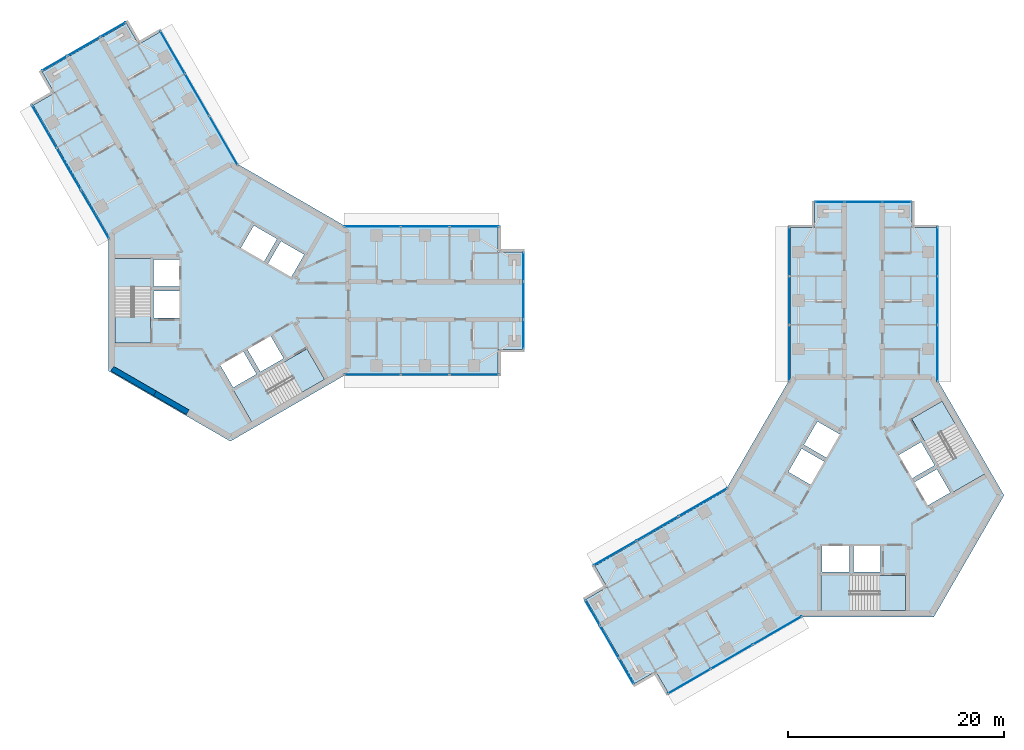
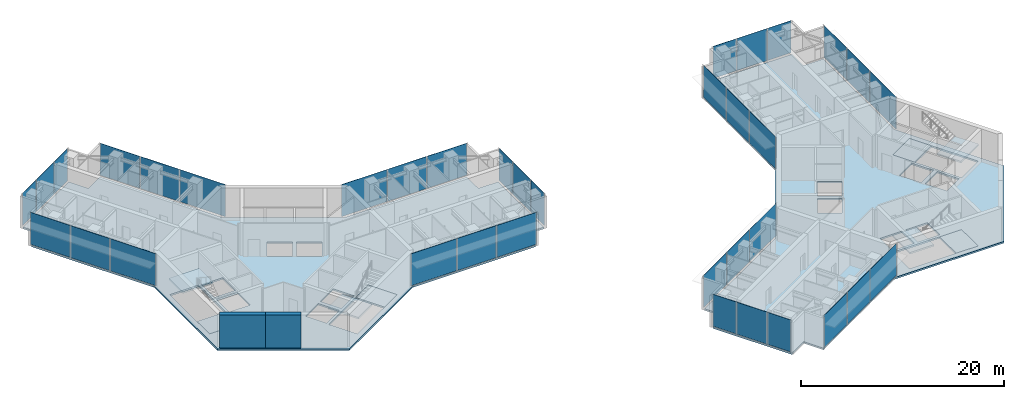
# One storey, part 10 of 18: 36 plates, 10 slabs, 2 walls, 16 elements without a shape of their own.
"""IFC4 building model written with IfcOpenShell, lengths in metres."""

import ifcopenshell
import ifcopenshell.guid

model = None  # the IFC model being written
_history = None  # IfcOwnerHistory: only IFC2X3 demands one
_inside = {}  # id of a spatial element -> (the spatial element, [elements in it])
_under = {}  # id of a project, library or spatial element -> (it, [spatial elements below it])
_declared = {}  # id of a project -> (the project, [libraries it declares])
_typed = {}  # id of a type object -> (the type object, [elements of that type])
_made_of = {}  # id of a material, layer set ... -> (it, [elements and type objects made of it])


def new_model(schema):
    """Start an empty IFC model of exactly this schema.

    Asked for "IFC4X3", IfcOpenShell would pick the latest addendum, in which some entities
    have other attributes; the version numbers below select the first issue.
    IFC2X3 requires an IfcOwnerHistory on every rooted entity: one is made here for all.
    """
    global model, _history
    if schema == "IFC4X3":
        model = ifcopenshell.file(schema_version=(4, 3, 0, 0))
    else:
        model = ifcopenshell.file(schema=schema)
    _inside.clear()
    _under.clear()
    _declared.clear()
    _typed.clear()
    _made_of.clear()
    _history = None
    if model.schema == "IFC2X3":
        org = make("IfcOrganization", Name="unknown")
        user = make(
            "IfcPersonAndOrganization",
            ThePerson=make("IfcPerson", FamilyName="unknown"),
            TheOrganization=org,
        )
        app = make(
            "IfcApplication",
            ApplicationDeveloper=org,
            Version="unknown",
            ApplicationFullName="unknown",
            ApplicationIdentifier="unknown",
        )
        _history = make(
            "IfcOwnerHistory",
            OwningUser=user,
            OwningApplication=app,
            ChangeAction="ADDED",
            CreationDate=0,
        )
    return model


def make(cls, **values):
    """One entity of the class cls with the attributes given. An attribute that is None is left unset."""
    return model.create_entity(
        cls, **{name: value for name, value in values.items() if value is not None}
    )


def rooted(cls, **values):
    """An entity with a GlobalId (a new one), such as an element, a storey or a relation."""
    return make(cls, GlobalId=ifcopenshell.guid.new(), OwnerHistory=_history, **values)


def si_unit(unit_type, name, prefix=None):
    """IfcSIUnit, for example si_unit("LENGTHUNIT", "METRE", prefix="MILLI")."""
    return make("IfcSIUnit", UnitType=unit_type, Prefix=prefix, Name=name)


def assignment(units):
    """IfcUnitAssignment: the units of a project."""
    return None if units is None else make("IfcUnitAssignment", Units=units)


def point(xyz):
    """IfcCartesianPoint."""
    return None if xyz is None else make("IfcCartesianPoint", Coordinates=xyz)


def direction(xyz):
    """IfcDirection."""
    return None if xyz is None else make("IfcDirection", DirectionRatios=xyz)


def frame(location, z_axis=None, x_axis=None):
    """IfcAxis2Placement3D, a coordinate frame: its origin and axes. An axis left out is left unset."""
    return make(
        "IfcAxis2Placement3D",
        Location=point(location),
        Axis=direction(z_axis),
        RefDirection=direction(x_axis),
    )


def frame_2d(location, x_axis=None):
    """IfcAxis2Placement2D, a coordinate frame in the plane: its origin and x axis."""
    return make(
        "IfcAxis2Placement2D", Location=point(location), RefDirection=direction(x_axis)
    )


def origin():
    """The frame at (0, 0, 0) with its axes left unset."""
    return frame((0.0, 0.0, 0.0))


def origin_2d():
    """The frame at (0, 0) in the plane with its x axis left unset."""
    return frame_2d((0.0, 0.0))


def place(relative_to, where):
    """IfcLocalPlacement: puts the frame where relative to a parent placement (None: the world)."""
    return make(
        "IfcLocalPlacement", PlacementRelTo=relative_to, RelativePlacement=where
    )


def context(
    kind, dimensions, precision=None, world=None, true_north=None, identifier=None
):
    """IfcGeometricRepresentationContext, for example the 3D "Model" context."""
    return make(
        "IfcGeometricRepresentationContext",
        ContextIdentifier=identifier,
        ContextType=kind,
        CoordinateSpaceDimension=dimensions,
        Precision=precision,
        WorldCoordinateSystem=world,
        TrueNorth=true_north,
    )


def subcontext(parent, identifier, kind, view, scale=None):
    """IfcGeometricRepresentationSubContext, for example "Body" below "Model"."""
    return make(
        "IfcGeometricRepresentationSubContext",
        ContextIdentifier=identifier,
        ContextType=kind,
        ParentContext=parent,
        TargetScale=scale,
        TargetView=view,
    )


def project(units=None, contexts=None):
    """IfcProject with its units and contexts."""
    return rooted(
        "IfcProject",
        Name="project",
        RepresentationContexts=contexts,
        UnitsInContext=assignment(units),
    )


def spatial(cls, under=None, at=None, **own):
    """A site, building, storey or space (cls), placed at a placement, below another one or the project."""
    s = rooted(cls, ObjectPlacement=at, **own)
    if under is not None:
        _under.setdefault(under.id(), (under, []))[1].append(s)
    return s


def polyline(points):
    """IfcPolyline through the points."""
    return make("IfcPolyline", Points=[point(p) for p in points])


def profile(cls, at=None, kind="AREA", **sizes):
    """A parametric profile (cls). Its sizes go by their IFC names, for example OverallWidth=200.0."""
    return make(cls, ProfileType=kind, Position=at, **sizes)


def rectangle(**sizes):
    """IfcRectangleProfileDef."""
    return profile("IfcRectangleProfileDef", **sizes)


def outline(outer, holes=None, kind="AREA"):
    """IfcArbitraryClosedProfileDef: a profile drawn as a closed curve; with holes, ...WithVoids."""
    if holes is None:
        return make("IfcArbitraryClosedProfileDef", ProfileType=kind, OuterCurve=outer)
    return make(
        "IfcArbitraryProfileDefWithVoids",
        ProfileType=kind,
        OuterCurve=outer,
        InnerCurves=holes,
    )


def extrude(swept, where, along, depth):
    """IfcExtrudedAreaSolid: the profile swept, set in the frame where, extruded along a direction by depth."""
    return make(
        "IfcExtrudedAreaSolid",
        SweptArea=swept,
        Position=where,
        ExtrudedDirection=direction(along),
        Depth=depth,
    )


def shape(context_of_items, identifier, shape_type, items):
    """IfcShapeRepresentation: the items that make up one representation, for example the "Body"."""
    return make(
        "IfcShapeRepresentation",
        ContextOfItems=context_of_items,
        RepresentationIdentifier=identifier,
        RepresentationType=shape_type,
        Items=items,
    )


def material(Name=None, Category=None):
    """IfcMaterial."""
    return make("IfcMaterial", Name=Name, Category=Category)


def layer(
    of_material, thickness, ventilated=None, Name=None, Category=None, Priority=None
):
    """IfcMaterialLayer: one layer of a wall or slab, of a material (None: an air gap)."""
    return make(
        "IfcMaterialLayer",
        Material=of_material,
        LayerThickness=thickness,
        IsVentilated=ventilated,
        Name=Name,
        Category=Category,
        Priority=Priority,
    )


def layer_set(layers, Name=None):
    """IfcMaterialLayerSet."""
    return make("IfcMaterialLayerSet", MaterialLayers=layers, LayerSetName=Name)


def made_of(thing, what):
    """Note that an element or type object is made of a material, layer set ...; save() writes the relation."""
    if what is not None:
        _made_of.setdefault(what.id(), (what, []))[1].append(thing)
    return thing


def type_object(cls, material=None, **own):
    """A type object (cls), such as IfcWallType, which elements share."""
    return made_of(rooted(cls, **own), material)


def element(
    cls,
    number,
    at=None,
    inside=None,
    cuts=None,
    type_object=None,
    material=None,
    context=None,
    identifier="Body",
    shape_type=None,
    held_by="IfcProductDefinitionShape",
    body=None,
    shapes=None,
    **own,
):
    """One element of the class cls, such as IfcWall. Its Tag is "e" and its number.

    at: its placement. inside: the storey or other place that contains it. cuts: it is an
    opening in that element (IfcRelVoidsElement). A single representation is given by context,
    identifier, shape_type and body (its items); several are given by shapes. held_by: the class
    of the entity that holds the representations. save() writes the other relations.
    """
    e = rooted(cls, Tag="e%d" % number, ObjectPlacement=at, **own)
    if body is not None:
        shapes = [shape(context, identifier, shape_type, body)]
    if shapes is not None:
        e.Representation = make(held_by, Representations=shapes)
    if inside is not None:
        _inside.setdefault(inside.id(), (inside, []))[1].append(e)
    if cuts is not None:
        rooted(
            "IfcRelVoidsElement", RelatingBuildingElement=cuts, RelatedOpeningElement=e
        )
    if type_object is not None:
        _typed.setdefault(type_object.id(), (type_object, []))[1].append(e)
    return made_of(e, material)


def aggregate(whole, parts):
    """IfcRelAggregates: a whole, such as a stair, and the parts it consists of."""
    return rooted("IfcRelAggregates", RelatingObject=whole, RelatedObjects=parts)


def save(model, path):
    """Write the relations noted so far, then the file.

    IfcRelAggregates (storeys below a building ...), IfcRelContainedInSpatialStructure (elements
    in a storey), IfcRelDefinesByType, IfcRelAssociatesMaterial and IfcRelDeclares: one each for
    every whole, place, type object, material and project.
    """
    for whole, parts in _under.values():
        aggregate(whole, parts)
    for where, things in _inside.values():
        rooted(
            "IfcRelContainedInSpatialStructure",
            RelatedElements=things,
            RelatingStructure=where,
        )
    for kind, things in _typed.values():
        rooted("IfcRelDefinesByType", RelatedObjects=things, RelatingType=kind)
    for what, things in _made_of.values():
        rooted("IfcRelAssociatesMaterial", RelatedObjects=things, RelatingMaterial=what)
    for by, libraries in _declared.values():
        rooted("IfcRelDeclares", RelatingContext=by, RelatedDefinitions=libraries)
    model.write(path)


model = new_model("IFC4")

# Units and contexts
model_context = context("Model", 3, precision=1e-05, world=origin(), true_north=direction((0.0, 1.0)))
body_context = subcontext(model_context, "Body", "Model", "MODEL_VIEW")
ifc_project = project(units=[si_unit("LENGTHUNIT", "METRE"), si_unit("AREAUNIT", "SQUARE_METRE"), si_unit("VOLUMEUNIT", "CUBIC_METRE"), si_unit("PLANEANGLEUNIT", "RADIAN"), si_unit("MASSUNIT", "GRAM", prefix="KILO")], contexts=[model_context])

# Site, building, storey
site_placement = place(None, origin())
site = spatial("IfcSite", under=ifc_project, at=site_placement, CompositionType="ELEMENT")
building_placement = place(site_placement, origin())
building = spatial("IfcBuilding", under=site, at=building_placement, Name="Upepo Twin Towers", CompositionType="ELEMENT")
storey_placement = place(building_placement, frame((0.0, 0.0, 226.5)))
storey = spatial("IfcBuildingStorey", under=building, at=storey_placement, Name="L55", CompositionType="ELEMENT", Elevation=226.5)

# Curtain wall, plates
ifc_material_1 = material(Name="Aluminium and fritted glass", Category="aluminium")
curtain_wall_type = type_object("IfcCurtainWallType", Name="Tower curtain wall TW3, fritted glass", PredefinedType="NOTDEFINED", material=ifc_material_1)
curtain_wall_1_placement = place(storey_placement, origin())
curtain_wall_1 = element("IfcCurtainWall", 1, at=curtain_wall_1_placement, inside=storey, type_object=curtain_wall_type, Name="T1 L55 wing A flank L curtain wall", PredefinedType="NOTDEFINED")
ifc_material_2 = material(Name="Ceramic-fritted laminated glass", Category="glass")
ifc_layer_1 = layer(ifc_material_2, 0.031982421875)
ifc_layer_set_1 = layer_set([ifc_layer_1], Name="Fritted glass panel, 60 per cent dot frit, 32 mm double glazed")
plate_type_1 = type_object("IfcPlateType", Name="Fritted glass panel, 60 per cent dot frit, 32 mm double glazed", PredefinedType="CURTAIN_PANEL", material=ifc_layer_set_1)
plate_1_placement = place(storey_placement, frame((13.134765625, 6.85009765625, 0.14990234375), z_axis=(0.0, 0.0, 1.0), x_axis=(1.0, 0.0, 0.0)))
plate_1 = element("IfcPlate", 2, at=plate_1_placement, type_object=plate_type_1, Name="T1 L55 wing A flank L curtain wall panel 1", PredefinedType="CURTAIN_PANEL", context=body_context, shape_type="SweptSolid", body=[
    extrude(rectangle(XDim=5.165283203125, YDim=0.031982421875, at=origin_2d()), origin(), (0.0, 0.0, 1.0), 3.85009765625),
])
plate_2_placement = place(storey_placement, frame((18.0, 6.85009765625, 0.14990234375), z_axis=(0.0, 0.0, 1.0), x_axis=(1.0, 0.0, 0.0)))
plate_2 = element("IfcPlate", 3, at=plate_2_placement, type_object=plate_type_1, Name="T1 L55 wing A flank L curtain wall panel 2", PredefinedType="CURTAIN_PANEL", context=body_context, shape_type="SweptSolid", body=[
    extrude(rectangle(XDim=4.43505859375, YDim=0.031982421875, at=origin_2d()), origin(), (0.0, 0.0, 1.0), 3.85009765625),
])
plate_3_placement = place(storey_placement, frame((22.53369140625, 6.85009765625, 0.14990234375), z_axis=(0.0, 0.0, 1.0), x_axis=(1.0, 0.0, 0.0)))
plate_3 = element("IfcPlate", 4, at=plate_3_placement, type_object=plate_type_1, Name="T1 L55 wing A flank L curtain wall panel 3", PredefinedType="CURTAIN_PANEL", context=body_context, shape_type="SweptSolid", body=[
    extrude(rectangle(XDim=4.50244140625, YDim=0.031982421875, at=origin_2d()), origin(), (0.0, 0.0, 1.0), 3.85009765625),
])
aggregate(curtain_wall_1, [plate_1, plate_2, plate_3])

curtain_wall_2_placement = place(storey_placement, origin())
curtain_wall_2 = element("IfcCurtainWall", 5, at=curtain_wall_2_placement, inside=storey, type_object=curtain_wall_type, Name="T1 L55 wing A flank R curtain wall", PredefinedType="NOTDEFINED")
plate_4_placement = place(storey_placement, frame((22.53369140625, -6.85009765625, 0.14990234375), z_axis=(0.0, 0.0, 1.0), x_axis=(-1.0, 0.0, 0.0)))
plate_4 = element("IfcPlate", 6, at=plate_4_placement, type_object=plate_type_1, Name="T1 L55 wing A flank R curtain wall panel 1", PredefinedType="CURTAIN_PANEL", context=body_context, shape_type="SweptSolid", body=[
    extrude(rectangle(XDim=4.50244140625, YDim=0.031982421875, at=origin_2d()), origin(), (0.0, 0.0, 1.0), 3.85009765625),
])
plate_5_placement = place(storey_placement, frame((18.0, -6.85009765625, 0.14990234375), z_axis=(0.0, 0.0, 1.0), x_axis=(-1.0, 0.0, 0.0)))
plate_5 = element("IfcPlate", 7, at=plate_5_placement, type_object=plate_type_1, Name="T1 L55 wing A flank R curtain wall panel 2", PredefinedType="CURTAIN_PANEL", context=body_context, shape_type="SweptSolid", body=[
    extrude(rectangle(XDim=4.43505859375, YDim=0.031982421875, at=origin_2d()), origin(), (0.0, 0.0, 1.0), 3.85009765625),
])
plate_6_placement = place(storey_placement, frame((13.134765625, -6.85009765625, 0.14990234375), z_axis=(0.0, 0.0, 1.0), x_axis=(-1.0, 0.0, 0.0)))
plate_6 = element("IfcPlate", 8, at=plate_6_placement, type_object=plate_type_1, Name="T1 L55 wing A flank R curtain wall panel 3", PredefinedType="CURTAIN_PANEL", context=body_context, shape_type="SweptSolid", body=[
    extrude(rectangle(XDim=5.165283203125, YDim=0.031982421875, at=origin_2d()), origin(), (0.0, 0.0, 1.0), 3.85009765625),
])
aggregate(curtain_wall_2, [plate_4, plate_5, plate_6])

# Curtain wall, plate
curtain_wall_3_placement = place(storey_placement, origin())
curtain_wall_3 = element("IfcCurtainWall", 9, at=curtain_wall_3_placement, inside=storey, type_object=curtain_wall_type, Name="T1 L55 wing A nose curtain wall", PredefinedType="NOTDEFINED")
plate_7_placement = place(storey_placement, frame((27.10009765625, 0.0, 0.14990234375), z_axis=(0.0, 0.0, 1.0), x_axis=(0.0, 1.0, 0.0)))
plate_7 = element("IfcPlate", 10, at=plate_7_placement, type_object=plate_type_1, Name="T1 L55 wing A nose curtain wall panel 2", PredefinedType="CURTAIN_PANEL", context=body_context, shape_type="SweptSolid", body=[
    extrude(rectangle(XDim=3.43505859375, YDim=0.031982421875, at=origin_2d()), origin(), (0.0, 0.0, 1.0), 3.85009765625),
])

# Curtain wall, plates
curtain_wall_4_placement = place(storey_placement, origin())
curtain_wall_4 = element("IfcCurtainWall", 11, at=curtain_wall_4_placement, inside=storey, type_object=curtain_wall_type, Name="T1 L55 wing B flank L curtain wall", PredefinedType="NOTDEFINED")
plate_8_placement = place(storey_placement, frame((-12.499755859375, 7.9501953125, 0.14990234375), z_axis=(0.0, 0.0, 1.0), x_axis=(-0.500000026527, 0.866025388469, 0.0)))
plate_8 = element("IfcPlate", 12, at=plate_8_placement, type_object=plate_type_1, Name="T1 L55 wing B flank L curtain wall panel 1", PredefinedType="CURTAIN_PANEL", context=body_context, shape_type="SweptSolid", body=[
    extrude(rectangle(XDim=5.165283203125, YDim=0.031982421875, at=origin_2d()), origin(), (0.0, 0.0, 1.0), 3.85009765625),
])
plate_9_placement = place(storey_placement, frame((-14.932373046875, 12.16357421875, 0.14990234375), z_axis=(0.0, 0.0, 1.0), x_axis=(-0.500000026527, 0.866025388469, 0.0)))
plate_9 = element("IfcPlate", 13, at=plate_9_placement, type_object=plate_type_1, Name="T1 L55 wing B flank L curtain wall panel 2", PredefinedType="CURTAIN_PANEL", context=body_context, shape_type="SweptSolid", body=[
    extrude(rectangle(XDim=4.43505859375, YDim=0.031982421875, at=origin_2d()), origin(), (0.0, 0.0, 1.0), 3.85009765625),
])
plate_10_placement = place(storey_placement, frame((-17.19921875, 16.08984375, 0.14990234375), z_axis=(0.0, 0.0, 1.0), x_axis=(-0.500000026527, 0.866025388469, 0.0)))
plate_10 = element("IfcPlate", 14, at=plate_10_placement, type_object=plate_type_1, Name="T1 L55 wing B flank L curtain wall panel 3", PredefinedType="CURTAIN_PANEL", context=body_context, shape_type="SweptSolid", body=[
    extrude(rectangle(XDim=4.50244140625, YDim=0.031982421875, at=origin_2d()), origin(), (0.0, 0.0, 1.0), 3.85009765625),
])
aggregate(curtain_wall_4, [plate_8, plate_9, plate_10])

curtain_wall_5_placement = place(storey_placement, origin())
curtain_wall_5 = element("IfcCurtainWall", 15, at=curtain_wall_5_placement, inside=storey, type_object=curtain_wall_type, Name="T1 L55 wing B flank R curtain wall", PredefinedType="NOTDEFINED")
plate_11_placement = place(storey_placement, frame((-5.334716796875, 22.939697265625, 0.14990234375), z_axis=(0.0, 0.0, 1.0), x_axis=(0.500000026527, -0.866025388469, 0.0)))
plate_11 = element("IfcPlate", 16, at=plate_11_placement, type_object=plate_type_1, Name="T1 L55 wing B flank R curtain wall panel 1", PredefinedType="CURTAIN_PANEL", context=body_context, shape_type="SweptSolid", body=[
    extrude(rectangle(XDim=4.50244140625, YDim=0.031982421875, at=origin_2d()), origin(), (0.0, 0.0, 1.0), 3.85009765625),
])
plate_12_placement = place(storey_placement, frame((-3.067626953125, 19.013427734375, 0.14990234375), z_axis=(0.0, 0.0, 1.0), x_axis=(0.500000026527, -0.866025388469, 0.0)))
plate_12 = element("IfcPlate", 17, at=plate_12_placement, type_object=plate_type_1, Name="T1 L55 wing B flank R curtain wall panel 2", PredefinedType="CURTAIN_PANEL", context=body_context, shape_type="SweptSolid", body=[
    extrude(rectangle(XDim=4.43505859375, YDim=0.031982421875, at=origin_2d()), origin(), (0.0, 0.0, 1.0), 3.85009765625),
])
plate_13_placement = place(storey_placement, frame((-0.635009765625, 14.800048828125, 0.14990234375), z_axis=(0.0, 0.0, 1.0), x_axis=(0.500000026527, -0.866025388469, 0.0)))
plate_13 = element("IfcPlate", 18, at=plate_13_placement, type_object=plate_type_1, Name="T1 L55 wing B flank R curtain wall panel 3", PredefinedType="CURTAIN_PANEL", context=body_context, shape_type="SweptSolid", body=[
    extrude(rectangle(XDim=5.165283203125, YDim=0.031982421875, at=origin_2d()), origin(), (0.0, 0.0, 1.0), 3.85009765625),
])
aggregate(curtain_wall_5, [plate_11, plate_12, plate_13])

# Curtain wall, plate
curtain_wall_6_placement = place(storey_placement, origin())
curtain_wall_6 = element("IfcCurtainWall", 19, at=curtain_wall_6_placement, inside=storey, type_object=curtain_wall_type, Name="T1 L55 wing B nose curtain wall", PredefinedType="NOTDEFINED")
plate_14_placement = place(storey_placement, frame((-13.550048828125, 23.46923828125, 0.14990234375), z_axis=(0.0, 0.0, 1.0), x_axis=(-0.866025386174, -0.500000030502, 0.0)))
plate_14 = element("IfcPlate", 20, at=plate_14_placement, type_object=plate_type_1, Name="T1 L55 wing B nose curtain wall panel 2", PredefinedType="CURTAIN_PANEL", context=body_context, shape_type="SweptSolid", body=[
    extrude(rectangle(XDim=3.43505859375, YDim=0.031982421875, at=origin_2d()), origin(), (0.0, 0.0, 1.0), 3.85009765625),
])

# Curtain wall, plates
curtain_wall_7_placement = place(storey_placement, origin())
curtain_wall_7 = element("IfcCurtainWall", 21, at=curtain_wall_7_placement, inside=storey, type_object=curtain_wall_type, Name="T2 L55 wing A flank L curtain wall", PredefinedType="NOTDEFINED")
plate_15_placement = place(storey_placement, frame((51.64990234375, -4.865234375, 0.14990234375), z_axis=(0.0, 0.0, 1.0), x_axis=(0.0, 1.0, 0.0)))
plate_15 = element("IfcPlate", 22, at=plate_15_placement, type_object=plate_type_1, Name="T2 L55 wing A flank L curtain wall panel 1", PredefinedType="CURTAIN_PANEL", context=body_context, shape_type="SweptSolid", body=[
    extrude(rectangle(XDim=5.165283203125, YDim=0.031982421875, at=origin_2d()), origin(), (0.0, 0.0, 1.0), 3.85009765625),
])
plate_16_placement = place(storey_placement, frame((51.64990234375, 0.0, 0.14990234375), z_axis=(0.0, 0.0, 1.0), x_axis=(0.0, 1.0, 0.0)))
plate_16 = element("IfcPlate", 23, at=plate_16_placement, type_object=plate_type_1, Name="T2 L55 wing A flank L curtain wall panel 2", PredefinedType="CURTAIN_PANEL", context=body_context, shape_type="SweptSolid", body=[
    extrude(rectangle(XDim=4.43505859375, YDim=0.031982421875, at=origin_2d()), origin(), (0.0, 0.0, 1.0), 3.85009765625),
])
plate_17_placement = place(storey_placement, frame((51.64990234375, 4.53369140625, 0.14990234375), z_axis=(0.0, 0.0, 1.0), x_axis=(0.0, 1.0, 0.0)))
plate_17 = element("IfcPlate", 24, at=plate_17_placement, type_object=plate_type_1, Name="T2 L55 wing A flank L curtain wall panel 3", PredefinedType="CURTAIN_PANEL", context=body_context, shape_type="SweptSolid", body=[
    extrude(rectangle(XDim=4.50244140625, YDim=0.031982421875, at=origin_2d()), origin(), (0.0, 0.0, 1.0), 3.85009765625),
])
aggregate(curtain_wall_7, [plate_15, plate_16, plate_17])

curtain_wall_8_placement = place(storey_placement, origin())
curtain_wall_8 = element("IfcCurtainWall", 25, at=curtain_wall_8_placement, inside=storey, type_object=curtain_wall_type, Name="T2 L55 wing A flank R curtain wall", PredefinedType="NOTDEFINED")
plate_18_placement = place(storey_placement, frame((65.35009765625, 4.53369140625, 0.14990234375), z_axis=(0.0, 0.0, 1.0), x_axis=(0.0, -1.0, 0.0)))
plate_18 = element("IfcPlate", 26, at=plate_18_placement, type_object=plate_type_1, Name="T2 L55 wing A flank R curtain wall panel 1", PredefinedType="CURTAIN_PANEL", context=body_context, shape_type="SweptSolid", body=[
    extrude(rectangle(XDim=4.50244140625, YDim=0.031982421875, at=origin_2d()), origin(), (0.0, 0.0, 1.0), 3.85009765625),
])
plate_19_placement = place(storey_placement, frame((65.35009765625, 0.0, 0.14990234375), z_axis=(0.0, 0.0, 1.0), x_axis=(0.0, -1.0, 0.0)))
plate_19 = element("IfcPlate", 27, at=plate_19_placement, type_object=plate_type_1, Name="T2 L55 wing A flank R curtain wall panel 2", PredefinedType="CURTAIN_PANEL", context=body_context, shape_type="SweptSolid", body=[
    extrude(rectangle(XDim=4.43505859375, YDim=0.031982421875, at=origin_2d()), origin(), (0.0, 0.0, 1.0), 3.85009765625),
])
plate_20_placement = place(storey_placement, frame((65.35009765625, -4.865234375, 0.14990234375), z_axis=(0.0, 0.0, 1.0), x_axis=(0.0, -1.0, 0.0)))
plate_20 = element("IfcPlate", 28, at=plate_20_placement, type_object=plate_type_1, Name="T2 L55 wing A flank R curtain wall panel 3", PredefinedType="CURTAIN_PANEL", context=body_context, shape_type="SweptSolid", body=[
    extrude(rectangle(XDim=5.165283203125, YDim=0.031982421875, at=origin_2d()), origin(), (0.0, 0.0, 1.0), 3.85009765625),
])
aggregate(curtain_wall_8, [plate_18, plate_19, plate_20])

# Curtain wall, plate
curtain_wall_9_placement = place(storey_placement, origin())
curtain_wall_9 = element("IfcCurtainWall", 29, at=curtain_wall_9_placement, inside=storey, type_object=curtain_wall_type, Name="T2 L55 wing A nose curtain wall", PredefinedType="NOTDEFINED")
plate_21_placement = place(storey_placement, frame((58.5, 9.10009765625, 0.14990234375), z_axis=(0.0, 0.0, 1.0), x_axis=(-1.0, 0.0, 0.0)))
plate_21 = element("IfcPlate", 30, at=plate_21_placement, type_object=plate_type_1, Name="T2 L55 wing A nose curtain wall panel 2", PredefinedType="CURTAIN_PANEL", context=body_context, shape_type="SweptSolid", body=[
    extrude(rectangle(XDim=3.43505859375, YDim=0.031982421875, at=origin_2d()), origin(), (0.0, 0.0, 1.0), 3.85009765625),
])

# Curtain wall, plates
curtain_wall_10_placement = place(storey_placement, origin())
curtain_wall_10 = element("IfcCurtainWall", 31, at=curtain_wall_10_placement, inside=storey, type_object=curtain_wall_type, Name="T2 L55 wing B flank L curtain wall", PredefinedType="NOTDEFINED")
plate_22_placement = place(storey_placement, frame((50.5498046875, -30.499755859375, 0.14990234375), z_axis=(0.0, 0.0, 1.0), x_axis=(-0.866025388469, -0.500000026527, 0.0)))
plate_22 = element("IfcPlate", 32, at=plate_22_placement, type_object=plate_type_1, Name="T2 L55 wing B flank L curtain wall panel 1", PredefinedType="CURTAIN_PANEL", context=body_context, shape_type="SweptSolid", body=[
    extrude(rectangle(XDim=5.165283203125, YDim=0.031982421875, at=origin_2d()), origin(), (0.0, 0.0, 1.0), 3.85009765625),
])
plate_23_placement = place(storey_placement, frame((46.33642578125, -32.932373046875, 0.14990234375), z_axis=(0.0, 0.0, 1.0), x_axis=(-0.866025388469, -0.500000026527, 0.0)))
plate_23 = element("IfcPlate", 33, at=plate_23_placement, type_object=plate_type_1, Name="T2 L55 wing B flank L curtain wall panel 2", PredefinedType="CURTAIN_PANEL", context=body_context, shape_type="SweptSolid", body=[
    extrude(rectangle(XDim=4.43505859375, YDim=0.031982421875, at=origin_2d()), origin(), (0.0, 0.0, 1.0), 3.85009765625),
])
plate_24_placement = place(storey_placement, frame((42.41015625, -35.19921875, 0.14990234375), z_axis=(0.0, 0.0, 1.0), x_axis=(-0.866025388469, -0.500000026527, 0.0)))
plate_24 = element("IfcPlate", 34, at=plate_24_placement, type_object=plate_type_1, Name="T2 L55 wing B flank L curtain wall panel 3", PredefinedType="CURTAIN_PANEL", context=body_context, shape_type="SweptSolid", body=[
    extrude(rectangle(XDim=4.50244140625, YDim=0.031982421875, at=origin_2d()), origin(), (0.0, 0.0, 1.0), 3.85009765625),
])
aggregate(curtain_wall_10, [plate_22, plate_23, plate_24])

curtain_wall_11_placement = place(storey_placement, origin())
curtain_wall_11 = element("IfcCurtainWall", 35, at=curtain_wall_11_placement, inside=storey, type_object=curtain_wall_type, Name="T2 L55 wing B flank R curtain wall", PredefinedType="NOTDEFINED")
plate_25_placement = place(storey_placement, frame((35.560302734375, -23.334716796875, 0.14990234375), z_axis=(0.0, 0.0, 1.0), x_axis=(0.866025388469, 0.500000026527, 0.0)))
plate_25 = element("IfcPlate", 36, at=plate_25_placement, type_object=plate_type_1, Name="T2 L55 wing B flank R curtain wall panel 1", PredefinedType="CURTAIN_PANEL", context=body_context, shape_type="SweptSolid", body=[
    extrude(rectangle(XDim=4.50244140625, YDim=0.031982421875, at=origin_2d()), origin(), (0.0, 0.0, 1.0), 3.85009765625),
])
plate_26_placement = place(storey_placement, frame((39.486572265625, -21.067626953125, 0.14990234375), z_axis=(0.0, 0.0, 1.0), x_axis=(0.866025388469, 0.500000026527, 0.0)))
plate_26 = element("IfcPlate", 37, at=plate_26_placement, type_object=plate_type_1, Name="T2 L55 wing B flank R curtain wall panel 2", PredefinedType="CURTAIN_PANEL", context=body_context, shape_type="SweptSolid", body=[
    extrude(rectangle(XDim=4.43505859375, YDim=0.031982421875, at=origin_2d()), origin(), (0.0, 0.0, 1.0), 3.85009765625),
])
plate_27_placement = place(storey_placement, frame((43.699951171875, -18.635009765625, 0.14990234375), z_axis=(0.0, 0.0, 1.0), x_axis=(0.866025388469, 0.500000026527, 0.0)))
plate_27 = element("IfcPlate", 38, at=plate_27_placement, type_object=plate_type_1, Name="T2 L55 wing B flank R curtain wall panel 3", PredefinedType="CURTAIN_PANEL", context=body_context, shape_type="SweptSolid", body=[
    extrude(rectangle(XDim=5.165283203125, YDim=0.031982421875, at=origin_2d()), origin(), (0.0, 0.0, 1.0), 3.85009765625),
])
aggregate(curtain_wall_11, [plate_25, plate_26, plate_27])

# Curtain wall, plate
curtain_wall_12_placement = place(storey_placement, origin())
curtain_wall_12 = element("IfcCurtainWall", 39, at=curtain_wall_12_placement, inside=storey, type_object=curtain_wall_type, Name="T2 L55 wing B nose curtain wall", PredefinedType="NOTDEFINED")
plate_28_placement = place(storey_placement, frame((35.03076171875, -31.550048828125, 0.14990234375), z_axis=(0.0, 0.0, 1.0), x_axis=(0.500000030502, -0.866025386174, 0.0)))
plate_28 = element("IfcPlate", 40, at=plate_28_placement, type_object=plate_type_1, Name="T2 L55 wing B nose curtain wall panel 2", PredefinedType="CURTAIN_PANEL", context=body_context, shape_type="SweptSolid", body=[
    extrude(rectangle(XDim=3.43505859375, YDim=0.031982421875, at=origin_2d()), origin(), (0.0, 0.0, 1.0), 3.85009765625),
])

# Plate
ifc_material_3 = material(Name="Clear laminated glass in opening sash", Category="glass")
ifc_layer_2 = layer(ifc_material_3, 0.031982421875)
ifc_layer_set_2 = layer_set([ifc_layer_2], Name="Operable glass panel, 32 mm double glazed")
plate_type_2 = type_object("IfcPlateType", Name="Operable glass panel, 32 mm double glazed", PredefinedType="CURTAIN_PANEL", material=ifc_layer_set_2)
plate_29_placement = place(storey_placement, frame((27.10009765625, -3.108642578125, 0.14990234375), z_axis=(0.0, 0.0, 1.0), x_axis=(0.0, 1.0, 0.0)))
plate_29 = element("IfcPlate", 41, at=plate_29_placement, type_object=plate_type_2, Name="T1 L55 wing A nose curtain wall panel 1", PredefinedType="CURTAIN_PANEL", context=body_context, shape_type="SweptSolid", body=[
    extrude(rectangle(XDim=2.652587890625, YDim=0.031982421875, at=origin_2d()), origin(), (0.0, 0.0, 1.0), 3.85009765625),
])

plate_30_placement = place(storey_placement, frame((27.10009765625, 3.108642578125, 0.14990234375), z_axis=(0.0, 0.0, 1.0), x_axis=(0.0, 1.0, 0.0)))
plate_30 = element("IfcPlate", 42, at=plate_30_placement, type_object=plate_type_2, Name="T1 L55 wing A nose curtain wall panel 3", PredefinedType="CURTAIN_PANEL", context=body_context, shape_type="SweptSolid", body=[
    extrude(rectangle(XDim=2.652587890625, YDim=0.031982421875, at=origin_2d()), origin(), (0.0, 0.0, 1.0), 3.85009765625),
])

aggregate(curtain_wall_3, [plate_29, plate_7, plate_30])

plate_31_placement = place(storey_placement, frame((-10.857666015625, 25.023681640625, 0.14990234375), z_axis=(0.0, 0.0, 1.0), x_axis=(-0.866025386174, -0.500000030502, 0.0)))
plate_31 = element("IfcPlate", 43, at=plate_31_placement, type_object=plate_type_2, Name="T1 L55 wing B nose curtain wall panel 1", PredefinedType="CURTAIN_PANEL", context=body_context, shape_type="SweptSolid", body=[
    extrude(rectangle(XDim=2.652587890625, YDim=0.031982421875, at=origin_2d()), origin(), (0.0, 0.0, 1.0), 3.85009765625),
])

plate_32_placement = place(storey_placement, frame((-16.2421875, 21.914794921875, 0.14990234375), z_axis=(0.0, 0.0, 1.0), x_axis=(-0.866025386174, -0.500000030502, 0.0)))
plate_32 = element("IfcPlate", 44, at=plate_32_placement, type_object=plate_type_2, Name="T1 L55 wing B nose curtain wall panel 3", PredefinedType="CURTAIN_PANEL", context=body_context, shape_type="SweptSolid", body=[
    extrude(rectangle(XDim=2.652587890625, YDim=0.031982421875, at=origin_2d()), origin(), (0.0, 0.0, 1.0), 3.85009765625),
])

aggregate(curtain_wall_6, [plate_31, plate_14, plate_32])

plate_33_placement = place(storey_placement, frame((61.608642578125, 9.10009765625, 0.14990234375), z_axis=(0.0, 0.0, 1.0), x_axis=(-1.0, 0.0, 0.0)))
plate_33 = element("IfcPlate", 45, at=plate_33_placement, type_object=plate_type_2, Name="T2 L55 wing A nose curtain wall panel 1", PredefinedType="CURTAIN_PANEL", context=body_context, shape_type="SweptSolid", body=[
    extrude(rectangle(XDim=2.652587890625, YDim=0.031982421875, at=origin_2d()), origin(), (0.0, 0.0, 1.0), 3.85009765625),
])

plate_34_placement = place(storey_placement, frame((55.391357421875, 9.10009765625, 0.14990234375), z_axis=(0.0, 0.0, 1.0), x_axis=(-1.0, 0.0, 0.0)))
plate_34 = element("IfcPlate", 46, at=plate_34_placement, type_object=plate_type_2, Name="T2 L55 wing A nose curtain wall panel 3", PredefinedType="CURTAIN_PANEL", context=body_context, shape_type="SweptSolid", body=[
    extrude(rectangle(XDim=2.652587890625, YDim=0.031982421875, at=origin_2d()), origin(), (0.0, 0.0, 1.0), 3.85009765625),
])

aggregate(curtain_wall_9, [plate_33, plate_21, plate_34])

plate_35_placement = place(storey_placement, frame((33.476318359375, -28.857666015625, 0.14990234375), z_axis=(0.0, 0.0, 1.0), x_axis=(0.500000030502, -0.866025386174, 0.0)))
plate_35 = element("IfcPlate", 47, at=plate_35_placement, type_object=plate_type_2, Name="T2 L55 wing B nose curtain wall panel 1", PredefinedType="CURTAIN_PANEL", context=body_context, shape_type="SweptSolid", body=[
    extrude(rectangle(XDim=2.652587890625, YDim=0.031982421875, at=origin_2d()), origin(), (0.0, 0.0, 1.0), 3.85009765625),
])

plate_36_placement = place(storey_placement, frame((36.585205078125, -34.2421875, 0.14990234375), z_axis=(0.0, 0.0, 1.0), x_axis=(0.500000030502, -0.866025386174, 0.0)))
plate_36 = element("IfcPlate", 48, at=plate_36_placement, type_object=plate_type_2, Name="T2 L55 wing B nose curtain wall panel 3", PredefinedType="CURTAIN_PANEL", context=body_context, shape_type="SweptSolid", body=[
    extrude(rectangle(XDim=2.652587890625, YDim=0.031982421875, at=origin_2d()), origin(), (0.0, 0.0, 1.0), 3.85009765625),
])

aggregate(curtain_wall_12, [plate_35, plate_28, plate_36])

# Stair, slabs
ifc_material_4 = material(Name="Concrete C40/50", Category="concrete")
stair_type = type_object("IfcStairType", Name="Core stair, two flights", PredefinedType="HALF_TURN_STAIR", material=ifc_material_4)
stair_1_placement = place(storey_placement, origin())
stair_1 = element("IfcStair", 49, at=stair_1_placement, inside=storey, type_object=stair_type, Name="T1 stair S1 L55", PredefinedType="HALF_TURN_STAIR")
ifc_material_5 = material(Name="Concrete C40/50", Category="concrete")
ifc_layer_3 = layer(ifc_material_5, 0.199951171875)
ifc_layer_set_3 = layer_set([ifc_layer_3], Name="Concrete C40/50")
slab_type_1 = type_object("IfcSlabType", Name="Stair landing 200 RC", PredefinedType="LANDING", material=ifc_layer_set_3)
slab_1_placement = place(storey_placement, frame((0.0, 0.0, -0.199951171875)))
slab_1 = element("IfcSlab", 50, at=slab_1_placement, type_object=slab_type_1, Name="Stair S1 landing 1", PredefinedType="LANDING", context=body_context, shape_type="SweptSolid", body=[
    extrude(outline(polyline([(-7.39990234375, -1.419921875), (-10.658447265625, -1.419921875), (-10.658447265625, -3.89990234375), (-7.39990234375, -3.89990234375), (-7.39990234375, -1.419921875)])), origin(), (0.0, 0.0, 1.0), 0.199951171875),
])
slab_2_placement = place(storey_placement, frame((0.0, 0.0, 1.800048828125)))
slab_2 = element("IfcSlab", 51, at=slab_2_placement, type_object=slab_type_1, Name="Stair S1 landing 2", PredefinedType="LANDING", context=body_context, shape_type="SweptSolid", body=[
    extrude(outline(polyline([(-7.300048828125, 3.89990234375), (-10.75830078125, 3.89990234375), (-10.75830078125, 1.179931640625), (-7.300048828125, 1.179931640625), (-7.300048828125, 3.89990234375)])), origin(), (0.0, 0.0, 1.0), 0.199951171875),
])
aggregate(stair_1, [slab_1, slab_2])

stair_2_placement = place(storey_placement, origin())
stair_2 = element("IfcStair", 52, at=stair_2_placement, inside=storey, type_object=stair_type, Name="T1 stair S2 L55", PredefinedType="HALF_TURN_STAIR")
slab_3_placement = place(storey_placement, frame((0.0, 0.0, -0.199951171875)))
slab_3 = element("IfcSlab", 53, at=slab_3_placement, type_object=slab_type_1, Name="Stair S2 landing 1", PredefinedType="LANDING", context=body_context, shape_type="SweptSolid", body=[
    extrude(outline(polyline([(4.9296875, -5.698486328125), (6.558837890625, -8.520263671875), (8.70654296875, -7.2802734375), (7.077392578125, -4.45849609375), (4.9296875, -5.698486328125)])), origin(), (0.0, 0.0, 1.0), 0.199951171875),
])
slab_4_placement = place(storey_placement, frame((0.0, 0.0, 1.800048828125)))
slab_4 = element("IfcSlab", 54, at=slab_4_placement, type_object=slab_type_1, Name="Stair S2 landing 2", PredefinedType="LANDING", context=body_context, shape_type="SweptSolid", body=[
    extrude(outline(polyline([(0.2724609375, -8.27197265625), (2.001708984375, -11.26708984375), (4.357177734375, -9.906982421875), (2.628173828125, -6.911865234375), (0.2724609375, -8.27197265625)])), origin(), (0.0, 0.0, 1.0), 0.199951171875),
])
aggregate(stair_2, [slab_3, slab_4])

stair_3_placement = place(storey_placement, origin())
stair_3 = element("IfcStair", 55, at=stair_3_placement, inside=storey, type_object=stair_type, Name="T2 stair S1 L55", PredefinedType="HALF_TURN_STAIR")
slab_5_placement = place(storey_placement, frame((0.0, 0.0, -0.199951171875)))
slab_5 = element("IfcSlab", 56, at=slab_5_placement, type_object=slab_type_1, Name="Stair S1 landing 1", PredefinedType="LANDING", context=body_context, shape_type="SweptSolid", body=[
    extrude(outline(polyline([(59.919921875, -25.39990234375), (59.919921875, -28.658447265625), (62.39990234375, -28.658447265625), (62.39990234375, -25.39990234375), (59.919921875, -25.39990234375)])), origin(), (0.0, 0.0, 1.0), 0.199951171875),
])
slab_6_placement = place(storey_placement, frame((0.0, 0.0, 1.800048828125)))
slab_6 = element("IfcSlab", 57, at=slab_6_placement, type_object=slab_type_1, Name="Stair S1 landing 2", PredefinedType="LANDING", context=body_context, shape_type="SweptSolid", body=[
    extrude(outline(polyline([(54.60009765625, -25.300048828125), (54.60009765625, -28.75830078125), (57.320068359375, -28.75830078125), (57.320068359375, -25.300048828125), (54.60009765625, -25.300048828125)])), origin(), (0.0, 0.0, 1.0), 0.199951171875),
])
aggregate(stair_3, [slab_5, slab_6])

stair_4_placement = place(storey_placement, origin())
stair_4 = element("IfcStair", 58, at=stair_4_placement, inside=storey, type_object=stair_type, Name="T2 stair S2 L55", PredefinedType="HALF_TURN_STAIR")
slab_7_placement = place(storey_placement, frame((0.0, 0.0, -0.199951171875)))
slab_7 = element("IfcSlab", 59, at=slab_7_placement, type_object=slab_type_1, Name="Stair S2 landing 1", PredefinedType="LANDING", context=body_context, shape_type="SweptSolid", body=[
    extrude(outline(polyline([(64.198486328125, -13.0703125), (67.020263671875, -11.441162109375), (65.7802734375, -9.29345703125), (62.95849609375, -10.922607421875), (64.198486328125, -13.0703125)])), origin(), (0.0, 0.0, 1.0), 0.199951171875),
])
slab_8_placement = place(storey_placement, frame((0.0, 0.0, 1.800048828125)))
slab_8 = element("IfcSlab", 60, at=slab_8_placement, type_object=slab_type_1, Name="Stair S2 landing 2", PredefinedType="LANDING", context=body_context, shape_type="SweptSolid", body=[
    extrude(outline(polyline([(66.77197265625, -17.7275390625), (69.76708984375, -15.998291015625), (68.406982421875, -13.642822265625), (65.411865234375, -15.371826171875), (66.77197265625, -17.7275390625)])), origin(), (0.0, 0.0, 1.0), 0.199951171875),
])
aggregate(stair_4, [slab_7, slab_8])

# Slabs
ifc_material_6 = material(Name="Concrete C40/50", Category="concrete")
ifc_layer_4 = layer(ifc_material_6, 0.199951171875)
ifc_layer_set_4 = layer_set([ifc_layer_4], Name="Concrete C40/50")
slab_type_2 = type_object("IfcSlabType", Name="Tower floor slab 200 RC", PredefinedType="FLOOR", material=ifc_layer_set_4)
slab_9_placement = place(storey_placement, frame((0.0, 0.0, -0.199951171875)))
element("IfcSlab", 61, at=slab_9_placement, inside=storey, type_object=slab_type_2, Name="T1 L55 floor slab", PredefinedType="FLOOR", context=body_context, shape_type="SweptSolid", body=[
    extrude(outline(polyline([(10.825439453125, 6.75), (24.75, 6.75), (24.75, 4.5), (27.0, 4.5), (27.0, -4.5), (24.75, -4.5), (24.75, -6.75), (10.825439453125, -6.75), (0.0, -13.0), (-11.25830078125, -6.5), (-11.25830078125, 6.0), (-18.220703125, 18.05908203125), (-16.272216796875, 19.18408203125), (-17.397216796875, 21.132568359375), (-9.602783203125, 25.632568359375), (-8.477783203125, 23.68408203125), (-6.529296875, 24.80908203125), (0.43310546875, 12.75), (10.825439453125, 6.75)]), holes=[polyline([(5.640869140625, 2.17041015625), (6.8408203125, 4.248779296875), (4.67578125, 5.498779296875), (3.475830078125, 3.42041015625), (5.640869140625, 2.17041015625)]), polyline([(3.12939453125, 3.620361328125), (4.329345703125, 5.69873046875), (2.164306640625, 6.94873046875), (0.96435546875, 4.870361328125), (3.12939453125, 3.620361328125)]), polyline([(-4.699951171875, 3.800048828125), (-7.10009765625, 3.800048828125), (-7.10009765625, 1.300048828125), (-4.699951171875, 1.300048828125), (-4.699951171875, 3.800048828125)]), polyline([(-4.699951171875, 0.89990234375), (-7.10009765625, 0.89990234375), (-7.10009765625, -1.60009765625), (-4.699951171875, -1.60009765625), (-4.699951171875, 0.89990234375)]), polyline([(-7.39990234375, 3.89990234375), (-10.658447265625, 3.89990234375), (-10.658447265625, -3.89990234375), (-7.39990234375, -3.89990234375), (-7.39990234375, 3.89990234375)]), polyline([(-0.94091796875, -5.97021484375), (0.259033203125, -8.048828125), (2.424072265625, -6.798828125), (1.22412109375, -4.72021484375), (-0.94091796875, -5.97021484375)]), polyline([(1.570556640625, -4.520263671875), (2.7705078125, -6.598876953125), (4.935546875, -5.348876953125), (3.735595703125, -3.270263671875), (1.570556640625, -4.520263671875)]), polyline([(0.322509765625, -8.358642578125), (1.95166015625, -11.180419921875), (8.70654296875, -7.2802734375), (7.077392578125, -4.45849609375), (0.322509765625, -8.358642578125)])]), origin(), (0.0, 0.0, 1.0), 0.199951171875),
])
slab_10_placement = place(storey_placement, frame((0.0, 0.0, -0.199951171875)))
element("IfcSlab", 62, at=slab_10_placement, inside=storey, type_object=slab_type_2, Name="T2 L55 floor slab", PredefinedType="FLOOR", context=body_context, shape_type="SweptSolid", body=[
    extrude(outline(polyline([(51.75, -7.174560546875), (51.75, 6.75), (54.0, 6.75), (54.0, 9.0), (63.0, 9.0), (63.0, 6.75), (65.25, 6.75), (65.25, -7.174560546875), (71.5, -18.0), (65.0, -29.25830078125), (52.5, -29.25830078125), (40.44091796875, -36.220703125), (39.31591796875, -34.272216796875), (37.367431640625, -35.397216796875), (32.867431640625, -27.602783203125), (34.81591796875, -26.477783203125), (33.69091796875, -24.529296875), (45.75, -17.56689453125), (51.75, -7.174560546875)]), holes=[polyline([(56.32958984375, -12.359130859375), (54.251220703125, -11.1591796875), (53.001220703125, -13.32421875), (55.07958984375, -14.524169921875), (56.32958984375, -12.359130859375)]), polyline([(54.879638671875, -14.87060546875), (52.80126953125, -13.670654296875), (51.55126953125, -15.835693359375), (53.629638671875, -17.03564453125), (54.879638671875, -14.87060546875)]), polyline([(54.699951171875, -22.699951171875), (54.699951171875, -25.10009765625), (57.199951171875, -25.10009765625), (57.199951171875, -22.699951171875), (54.699951171875, -22.699951171875)]), polyline([(57.60009765625, -22.699951171875), (57.60009765625, -25.10009765625), (60.10009765625, -25.10009765625), (60.10009765625, -22.699951171875), (57.60009765625, -22.699951171875)]), polyline([(54.60009765625, -25.39990234375), (54.60009765625, -28.658447265625), (62.39990234375, -28.658447265625), (62.39990234375, -25.39990234375), (54.60009765625, -25.39990234375)]), polyline([(64.47021484375, -18.94091796875), (66.548828125, -17.740966796875), (65.298828125, -15.575927734375), (63.22021484375, -16.77587890625), (64.47021484375, -18.94091796875)]), polyline([(63.020263671875, -16.429443359375), (65.098876953125, -15.2294921875), (63.848876953125, -13.064453125), (61.770263671875, -14.264404296875), (63.020263671875, -16.429443359375)]), polyline([(66.858642578125, -17.677490234375), (69.680419921875, -16.04833984375), (65.7802734375, -9.29345703125), (62.95849609375, -10.922607421875), (66.858642578125, -17.677490234375)])]), origin(), (0.0, 0.0, 1.0), 0.199951171875),
])

# Walls
ifc_material_7 = material(Name="Concrete C60/75", Category="concrete")
ifc_layer_5 = layer(ifc_material_7, 0.5)
ifc_layer_set_5 = layer_set([ifc_layer_5], Name="Concrete C60/75")
wall_type = type_object("IfcWallType", Name="Core wall 500 RC", PredefinedType="SHEAR", material=ifc_layer_set_5)
wall_1_placement = place(storey_placement, frame((-10.908447265625, -6.2978515625, 0.0), z_axis=(0.0, 0.0, 1.0), x_axis=(0.866034513004, -0.499984222037, 0.0)))
element("IfcWall", 63, at=wall_1_placement, inside=storey, type_object=wall_type, Name="T1 core wall 240 R", PredefinedType="SHEAR", context=body_context, shape_type="SweptSolid", body=[
    extrude(rectangle(XDim=4.548095703125, YDim=0.5, at=frame_2d((2.27392578125, 0.0))), origin(), (0.0, 0.0, 1.0), 4.0),
])
wall_2_placement = place(storey_placement, frame((-6.9697265625, -8.57177734375, 0.0), z_axis=(0.0, 0.0, 1.0), x_axis=(0.866019471182, -0.500010275428, 0.0)))
element("IfcWall", 64, at=wall_2_placement, inside=storey, type_object=wall_type, Name="T1 core wall 240", PredefinedType="SHEAR", context=body_context, shape_type="SweptSolid", body=[
    extrude(rectangle(XDim=3.5, YDim=0.5, at=frame_2d((1.75, 0.0))), origin(), (0.0, 0.0, 1.0), 4.0),
])

save(model, "model.ifc")
